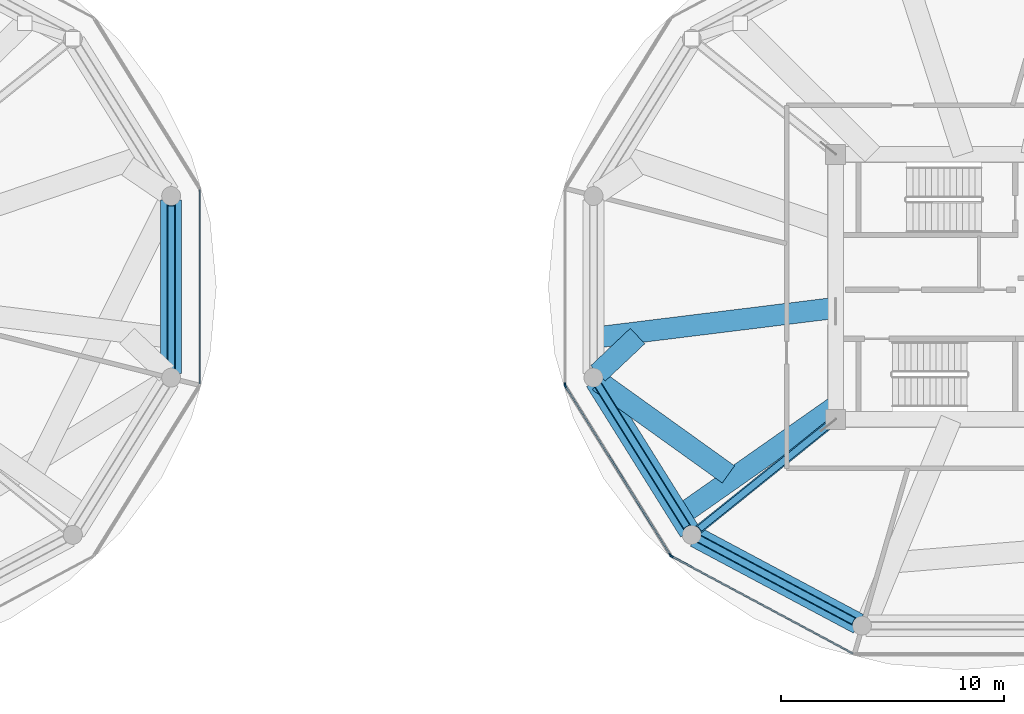
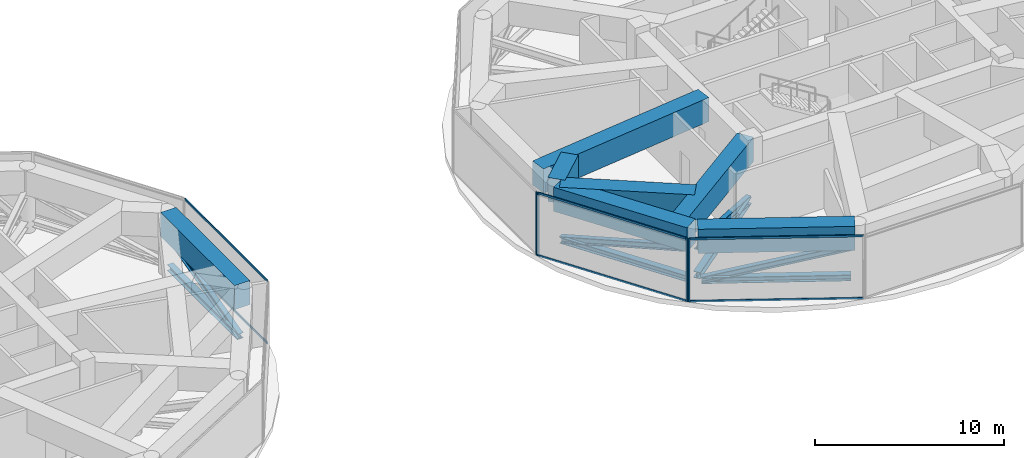
# One storey, part 6 of 23: 18 members, 7 beams, 4 elements without a shape of their own.
"""IFC4 building model written with IfcOpenShell, lengths in metres."""

from ifc_helpers import new_model, si_unit, direction, frame, origin, origin_2d, place, context, subcontext, project, spatial, rectangle, i_section, extrude, source, transform, mapped, material, layer, layer_set, material_profile, profile_set, type_object, type_shapes, element, aggregate, save


model = new_model("IFC4")

# Units and contexts
model_context = context("Model", 3, precision=1e-05, world=origin(), true_north=direction((0.0, 1.0)))
body_context = subcontext(model_context, "Body", "Model", "MODEL_VIEW")
ifc_project = project(units=[si_unit("LENGTHUNIT", "METRE"), si_unit("AREAUNIT", "SQUARE_METRE"), si_unit("VOLUMEUNIT", "CUBIC_METRE"), si_unit("PLANEANGLEUNIT", "RADIAN"), si_unit("MASSUNIT", "GRAM", prefix="KILO")], contexts=[model_context])

# Site, building, storey
site_placement = place(None, origin())
site = spatial("IfcSite", under=ifc_project, at=site_placement, CompositionType="ELEMENT")
building_placement = place(site_placement, origin())
building = spatial("IfcBuilding", under=site, at=building_placement, Name="Norrkilde Senior Care Towers", CompositionType="ELEMENT")
storey_placement = place(building_placement, frame((0.0, 0.0, 129.800048828125)))
storey = spatial("IfcBuildingStorey", under=building, at=storey_placement, Name="L40", CompositionType="ELEMENT", Elevation=129.800048828125)

# Beams
ifc_material_1 = material(Name="Concrete C60/75", Category="concrete")
ifc_material_profile_1 = material_profile(ifc_material_1, rectangle(XDim=0.949951171875, YDim=1.550048828125, at=origin_2d()), Name="RC TG 950x1550")
ifc_profile_set_1 = profile_set([ifc_material_profile_1], Name="Concrete C60/75")
beam_type = type_object("IfcBeamType", Name="Transfer Girder Zone Shift 950x1550", PredefinedType="USERDEFINED", material=ifc_profile_set_1)
shared_shape_1 = source(origin(), body_context, "Body", "SweptSolid", [
    extrude(rectangle(XDim=0.949951171875, YDim=1.550048828125, at=origin_2d()), origin(), (0.0, 0.0, 1.0), 7.966064453125),
])
beam_1_placement = place(storey_placement, frame((9.576416015625, -4.22900390625, 3.304931640625), z_axis=(0.529982411064, -0.848008634368, 0.0), x_axis=(0.848008634368, 0.529982411064, 0.0)))
element("IfcBeam", 1, at=beam_1_placement, inside=storey, type_object=beam_type, Name="L40 Drum E Zone Ring Transfer Girder 07", ObjectType="GIRDER", PredefinedType="USERDEFINED", context=body_context, shape_type="MappedRepresentation", body=[
    mapped(shared_shape_1, transform((0.0, 0.0, 0.0), x_axis=(1.0, 0.0, 0.0), y_axis=(0.0, 1.0, 0.0), z_axis=(0.0, 0.0, 1.0), scale=1.0)),
])
shared_shape_2 = source(origin(), body_context, "Body", "SweptSolid", [
    extrude(rectangle(XDim=0.949951171875, YDim=1.550048828125, at=origin_2d()), origin(), (0.0, 0.0, 1.0), 8.302490234375),
])
beam_2_placement = place(storey_placement, frame((14.052734375, -11.2216796875, 3.304931640625), z_axis=(0.882355383182, -0.470583656504, 0.0), x_axis=(0.470583656504, 0.882355383182, 0.0)))
element("IfcBeam", 2, at=beam_2_placement, inside=storey, type_object=beam_type, Name="L40 Drum E Zone Ring Transfer Girder 08", ObjectType="GIRDER", PredefinedType="USERDEFINED", context=body_context, shape_type="MappedRepresentation", body=[
    mapped(shared_shape_2, transform((0.0, 0.0, 0.0), x_axis=(1.0, 0.0, 0.0), y_axis=(0.0, 1.0, 0.0), z_axis=(0.0, 0.0, 1.0), scale=1.0)),
])
shared_shape_3 = source(origin(), body_context, "Body", "SweptSolid", [
    extrude(rectangle(XDim=0.949951171875, YDim=1.550048828125, at=origin_2d()), origin(), (0.0, 0.0, 1.0), 7.79296875),
])
beam_3_placement = place(storey_placement, frame((-9.48095703125, -3.896484375, 3.304931640625), z_axis=(0.0, 1.0, 0.0), x_axis=(-1.0, 0.0, 0.0)))
element("IfcBeam", 3, at=beam_3_placement, inside=storey, type_object=beam_type, Name="L40 Drum W Zone Ring Transfer Girder 12", ObjectType="GIRDER", PredefinedType="USERDEFINED", context=body_context, shape_type="MappedRepresentation", body=[
    mapped(shared_shape_3, transform((0.0, 0.0, 0.0), x_axis=(1.0, 0.0, 0.0), y_axis=(0.0, 1.0, 0.0), z_axis=(0.0, 0.0, 1.0), scale=1.0)),
])
shared_shape_4 = source(origin(), body_context, "Body", "SweptSolid", [
    extrude(rectangle(XDim=0.949951171875, YDim=1.550048828125, at=origin_2d()), origin(), (0.0, 0.0, 1.0), 8.544677734375),
])
beam_4_placement = place(storey_placement, frame((20.35009765625, -5.3681640625, 3.304931640625), z_axis=(-0.818577669151, -0.574395856154, 0.0), x_axis=(0.574395856154, -0.818577669151, 0.0)))
element("IfcBeam", 4, at=beam_4_placement, inside=storey, type_object=beam_type, Name="L40 Drum E Zone Transfer Girder 08", ObjectType="GIRDER", PredefinedType="USERDEFINED", context=body_context, shape_type="MappedRepresentation", body=[
    mapped(shared_shape_4, transform((0.0, 0.0, 0.0), x_axis=(1.0, 0.0, 0.0), y_axis=(0.0, 1.0, 0.0), z_axis=(0.0, 0.0, 1.0), scale=1.0)),
])
shared_shape_5 = source(origin(), body_context, "Body", "SweptSolid", [
    extrude(rectangle(XDim=0.949951171875, YDim=1.550048828125, at=origin_2d()), origin(), (0.0, 0.0, 1.0), 10.95166015625),
])
beam_5_placement = place(storey_placement, frame((20.35009765625, -0.9443359375, 3.304931640625), z_axis=(-0.992468746892, -0.12249810791, 0.0), x_axis=(0.12249810791, -0.992468746892, 0.0)))
element("IfcBeam", 5, at=beam_5_placement, inside=storey, type_object=beam_type, Name="L40 Drum E Zone Transfer Girder 07", ObjectType="GIRDER", PredefinedType="USERDEFINED", context=body_context, shape_type="MappedRepresentation", body=[
    mapped(shared_shape_5, transform((0.0, 0.0, 0.0), x_axis=(1.0, 0.0, 0.0), y_axis=(0.0, 1.0, 0.0), z_axis=(0.0, 0.0, 1.0), scale=1.0)),
])
shared_shape_6 = source(origin(), body_context, "Body", "SweptSolid", [
    extrude(rectangle(XDim=0.949951171875, YDim=1.550048828125, at=origin_2d()), origin(), (0.0, 0.0, 1.0), 2.4423828125),
])
beam_6_placement = place(storey_placement, frame((11.46142578125, -2.20849609375, 3.304931640625), z_axis=(-0.727495316015, -0.686112647585, 0.0), x_axis=(0.686112647585, -0.727495316015, 0.0)))
element("IfcBeam", 6, at=beam_6_placement, inside=storey, type_object=beam_type, Name="L40 Drum E Zone Star Transfer Tie 07", ObjectType="GIRDER", PredefinedType="USERDEFINED", context=body_context, shape_type="MappedRepresentation", body=[
    mapped(shared_shape_6, transform((0.0, 0.0, 0.0), x_axis=(1.0, 0.0, 0.0), y_axis=(0.0, 1.0, 0.0), z_axis=(0.0, 0.0, 1.0), scale=1.0)),
])

# Members
ifc_material_2 = material(Name="Steel S355", Category="steel")
ifc_material_profile_2 = material_profile(ifc_material_2, i_section(OverallWidth=0.3740234375, OverallDepth=0.386962890625, WebThickness=0.01611328125, FlangeThickness=0.027099609375, FilletRadius=0.014892578125, at=origin_2d()), Name="HD 360x262")
ifc_profile_set_2 = profile_set([ifc_material_profile_2], Name="Steel S355")
member_type_1 = type_object("IfcMemberType", Name="Belt Truss Ring Chord HD360x262", PredefinedType="CHORD", material=ifc_profile_set_2)
shared_shape_7 = source(origin(), body_context, "Body", "SweptSolid", [
    extrude(i_section(OverallWidth=0.3740234375, OverallDepth=0.386962890625, WebThickness=0.01611328125, FlangeThickness=0.027099609375, FilletRadius=0.014892578125, at=origin_2d()), origin(), (0.0, 0.0, 1.0), 7.55615234375),
])
member_1_placement = place(storey_placement, frame((9.68505859375, -4.40283203125, 0.550048828125), z_axis=(0.529981514254, -0.848009194849, 0.0), x_axis=(0.848009194849, 0.529981514254, 0.0)))
element("IfcMember", 7, at=member_1_placement, inside=storey, type_object=member_type_1, Name="L40 Drum E Belt Truss Bottom Chord 07", PredefinedType="CHORD", context=body_context, shape_type="MappedRepresentation", body=[
    mapped(shared_shape_7, transform((0.0, 0.0, 0.0), x_axis=(1.0, 0.0, 0.0), y_axis=(0.0, 1.0, 0.0), z_axis=(0.0, 0.0, 1.0), scale=1.0)),
])
ifc_material_profile_3 = material_profile(ifc_material_2, i_section(OverallWidth=0.300048828125, OverallDepth=0.39990234375, WebThickness=0.013427734375, FlangeThickness=0.02392578125, FilletRadius=0.027099609375, at=origin_2d()), Name="HEB 400")
ifc_profile_set_3 = profile_set([ifc_material_profile_3], Name="Steel S355")
member_type_2 = type_object("IfcMemberType", Name="Belt Truss Diagonal HEB400", PredefinedType="BRACE", material=ifc_profile_set_3)
shared_shape_8 = source(origin(), body_context, "Body", "SweptSolid", [
    extrude(i_section(OverallWidth=0.300048828125, OverallDepth=0.39990234375, WebThickness=0.013427734375, FlangeThickness=0.02392578125, FilletRadius=0.027099609375, at=origin_2d()), origin(), (0.0, 0.0, 1.0), 7.798828125),
])
member_2_placement = place(storey_placement, frame((9.68505859375, -4.40283203125, 0.550048828125), z_axis=(0.513497189063, -0.821633068593, 0.247466639001), x_axis=(0.848009194849, 0.529981514254, 0.0)))
element("IfcMember", 8, at=member_2_placement, inside=storey, type_object=member_type_2, Name="L40 Drum E Belt Truss Diagonal 07", PredefinedType="BRACE", context=body_context, shape_type="MappedRepresentation", body=[
    mapped(shared_shape_8, transform((0.0, 0.0, 0.0), x_axis=(1.0, 0.0, 0.0), y_axis=(0.0, 1.0, 0.0), z_axis=(0.0, 0.0, 1.0), scale=1.0)),
])
shared_shape_9 = source(origin(), body_context, "Body", "SweptSolid", [
    extrude(i_section(OverallWidth=0.3740234375, OverallDepth=0.386962890625, WebThickness=0.01611328125, FlangeThickness=0.027099609375, FilletRadius=0.014892578125, at=origin_2d()), origin(), (0.0, 0.0, 1.0), 7.892333984375),
])
member_3_placement = place(storey_placement, frame((14.233642578125, -11.318115234375, 0.550048828125), z_axis=(0.882350372282, -0.47059305194, 0.0), x_axis=(0.47059305194, 0.882350372282, 0.0)))
element("IfcMember", 9, at=member_3_placement, inside=storey, type_object=member_type_1, Name="L40 Drum E Belt Truss Bottom Chord 08", PredefinedType="CHORD", context=body_context, shape_type="MappedRepresentation", body=[
    mapped(shared_shape_9, transform((0.0, 0.0, 0.0), x_axis=(1.0, 0.0, 0.0), y_axis=(0.0, 1.0, 0.0), z_axis=(0.0, 0.0, 1.0), scale=1.0)),
])
shared_shape_10 = source(origin(), body_context, "Body", "SweptSolid", [
    extrude(i_section(OverallWidth=0.300048828125, OverallDepth=0.39990234375, WebThickness=0.013427734375, FlangeThickness=0.02392578125, FilletRadius=0.027099609375, at=origin_2d()), origin(), (0.0, 0.0, 1.0), 8.125),
])
member_4_placement = place(storey_placement, frame((14.233642578125, -11.318115234375, 0.550048828125), z_axis=(0.85709731652, -0.457124578468, 0.237531702675), x_axis=(0.47059305194, 0.882350372282, 0.0)))
element("IfcMember", 10, at=member_4_placement, inside=storey, type_object=member_type_2, Name="L40 Drum E Belt Truss Diagonal 08", PredefinedType="BRACE", context=body_context, shape_type="MappedRepresentation", body=[
    mapped(shared_shape_10, transform((0.0, 0.0, 0.0), x_axis=(1.0, 0.0, 0.0), y_axis=(0.0, 1.0, 0.0), z_axis=(0.0, 0.0, 1.0), scale=1.0)),
])
shared_shape_11 = source(origin(), body_context, "Body", "SweptSolid", [
    extrude(i_section(OverallWidth=0.3740234375, OverallDepth=0.386962890625, WebThickness=0.01611328125, FlangeThickness=0.027099609375, FilletRadius=0.014892578125, at=origin_2d()), origin(), (0.0, 0.0, 1.0), 7.3828125),
])
type_shapes(member_type_1, [shared_shape_7, shared_shape_9, shared_shape_11])
member_5_placement = place(storey_placement, frame((-9.48095703125, -3.69140625, 0.550048828125), z_axis=(0.0, 1.0, 0.0), x_axis=(-1.0, 0.0, 0.0)))
element("IfcMember", 11, at=member_5_placement, inside=storey, type_object=member_type_1, Name="L40 Drum W Belt Truss Bottom Chord 12", PredefinedType="CHORD", context=body_context, shape_type="MappedRepresentation", body=[
    mapped(shared_shape_11, transform((0.0, 0.0, 0.0), x_axis=(1.0, 0.0, 0.0), y_axis=(0.0, 1.0, 0.0), z_axis=(0.0, 0.0, 1.0), scale=1.0)),
])
shared_shape_12 = source(origin(), body_context, "Body", "SweptSolid", [
    extrude(i_section(OverallWidth=0.300048828125, OverallDepth=0.39990234375, WebThickness=0.013427734375, FlangeThickness=0.02392578125, FilletRadius=0.027099609375, at=origin_2d()), origin(), (0.0, 0.0, 1.0), 7.630859375),
])
type_shapes(member_type_2, [shared_shape_8, shared_shape_10, shared_shape_12])
member_6_placement = place(storey_placement, frame((-9.48095703125, -3.69140625, 0.550048828125), z_axis=(0.0, 0.967489740565, 0.252910264523), x_axis=(-1.0, 0.0, 0.0)))
element("IfcMember", 12, at=member_6_placement, inside=storey, type_object=member_type_2, Name="L40 Drum W Belt Truss Diagonal 12", PredefinedType="BRACE", context=body_context, shape_type="MappedRepresentation", body=[
    mapped(shared_shape_12, transform((0.0, 0.0, 0.0), x_axis=(1.0, 0.0, 0.0), y_axis=(0.0, 1.0, 0.0), z_axis=(0.0, 0.0, 1.0), scale=1.0)),
])
ifc_material_profile_4 = material_profile(ifc_material_2, i_section(OverallWidth=0.402099609375, OverallDepth=0.419921875, WebThickness=0.02001953125, FlangeThickness=0.032958984375, FilletRadius=0.014892578125, at=origin_2d()), Name="HD 400x347")
ifc_profile_set_4 = profile_set([ifc_material_profile_4], Name="Steel S355")
member_type_3 = type_object("IfcMemberType", Name="Outrigger Truss Chord HD400x347", PredefinedType="CHORD", material=ifc_profile_set_4)
shared_shape_13 = source(origin(), body_context, "Body", "SweptSolid", [
    extrude(i_section(OverallWidth=0.402099609375, OverallDepth=0.419921875, WebThickness=0.02001953125, FlangeThickness=0.032958984375, FilletRadius=0.014892578125, at=origin_2d()), origin(), (0.0, 0.0, 1.0), 7.486572265625),
])
type_shapes(member_type_3, [shared_shape_13])
member_7_placement = place(storey_placement, frame((20.0302734375, -6.206787109375, 0.550048828125), z_axis=(-0.779575464722, -0.626308306511, 0.0), x_axis=(0.626308306511, -0.779575464722, 0.0)))
element("IfcMember", 13, at=member_7_placement, inside=storey, type_object=member_type_3, Name="L40 Drum E Outrigger Chord 1", PredefinedType="CHORD", context=body_context, shape_type="MappedRepresentation", body=[
    mapped(shared_shape_13, transform((0.0, 0.0, 0.0), x_axis=(1.0, 0.0, 0.0), y_axis=(0.0, 1.0, 0.0), z_axis=(0.0, 0.0, 1.0), scale=1.0)),
])
ifc_material_profile_5 = material_profile(ifc_material_2, i_section(OverallWidth=0.300048828125, OverallDepth=0.5, WebThickness=0.014404296875, FlangeThickness=0.028076171875, FilletRadius=0.027099609375, at=origin_2d()), Name="HEB 500")
ifc_profile_set_5 = profile_set([ifc_material_profile_5], Name="Steel S355")
member_type_4 = type_object("IfcMemberType", Name="Outrigger Truss Diagonal HEB500", PredefinedType="BRACE", material=ifc_profile_set_5)
shared_shape_14 = source(origin(), body_context, "Body", "SweptSolid", [
    extrude(i_section(OverallWidth=0.300048828125, OverallDepth=0.5, WebThickness=0.014404296875, FlangeThickness=0.028076171875, FilletRadius=0.027099609375, at=origin_2d()), origin(), (0.0, 0.0, 1.0), 7.7314453125),
])
type_shapes(member_type_4, [shared_shape_14])
member_8_placement = place(storey_placement, frame((20.0302734375, -6.206787109375, 0.550048828125), z_axis=(-0.754896761512, -0.60648151935, 0.249621806231), x_axis=(0.626308306511, -0.779575464722, 0.0)))
element("IfcMember", 14, at=member_8_placement, inside=storey, type_object=member_type_4, Name="L40 Drum E Outrigger Diagonal 1", PredefinedType="BRACE", context=body_context, shape_type="MappedRepresentation", body=[
    mapped(shared_shape_14, transform((0.0, 0.0, 0.0), x_axis=(1.0, 0.0, 0.0), y_axis=(0.0, 1.0, 0.0), z_axis=(0.0, 0.0, 1.0), scale=1.0)),
])

# Beam
shared_shape_15 = source(origin(), body_context, "Body", "SweptSolid", [
    extrude(rectangle(XDim=0.949951171875, YDim=1.550048828125, at=origin_2d()), origin(), (0.0, 0.0, 1.0), 7.17529296875),
])
type_shapes(beam_type, [shared_shape_1, shared_shape_2, shared_shape_3, shared_shape_4, shared_shape_5, shared_shape_6, shared_shape_15])
beam_7_placement = place(storey_placement, frame((15.539794921875, -8.420654296875, 3.304931640625), z_axis=(-0.812681512276, 0.58270812557, 0.0), x_axis=(-0.58270812557, -0.812681512276, 0.0)))
element("IfcBeam", 15, at=beam_7_placement, inside=storey, type_object=beam_type, Name="L40 Drum E Zone Star Transfer Tie 08", ObjectType="GIRDER", PredefinedType="USERDEFINED", context=body_context, shape_type="MappedRepresentation", body=[
    mapped(shared_shape_15, transform((0.0, 0.0, 0.0), x_axis=(1.0, 0.0, 0.0), y_axis=(0.0, 1.0, 0.0), z_axis=(0.0, 0.0, 1.0), scale=1.0)),
])

# Curtain wall, member
ifc_material_3 = material(Name="Triple Low-E Insulated Glazing", Category="glass")
ifc_layer = layer(ifc_material_3, 0.18505859375)
ifc_layer_set = layer_set([ifc_layer], Name="Triple Low-E Insulated Glazing")
curtain_wall_type = type_object("IfcCurtainWallType", Name="CW6 Zone 4 Crown Pavilion Curtain Wall", PredefinedType="NOTDEFINED", material=ifc_layer_set)
curtain_wall_1_placement = place(storey_placement, origin())
curtain_wall_1 = element("IfcCurtainWall", 16, at=curtain_wall_1_placement, inside=storey, type_object=curtain_wall_type, Name="L40 Drum E Curtain Wall 05", PredefinedType="NOTDEFINED")
ifc_material_4 = material(Name="Anodised Aluminium", Category="aluminium")
ifc_material_profile_6 = material_profile(ifc_material_4, rectangle(XDim=0.070068359375, YDim=0.169921875, at=origin_2d()), Name="ALU MULL 70x170")
ifc_profile_set_6 = profile_set([ifc_material_profile_6], Name="Anodised Aluminium")
member_type_5 = type_object("IfcMemberType", Name="Curtain Wall Mullion Heavy 70x170", PredefinedType="MULLION", material=ifc_profile_set_6)
shared_shape_16 = source(origin(), body_context, "Body", "SweptSolid", [
    extrude(rectangle(XDim=0.070068359375, YDim=0.169921875, at=origin_2d()), origin(), (0.0, 0.0, 1.0), 4.079833984375),
])
type_shapes(member_type_5, [shared_shape_16])
member_9_placement = place(storey_placement, frame((8.1962890625, -4.3857421875, 0.0), z_axis=(0.0, 0.0, 1.0), x_axis=(-1.0, 0.0, 0.0)))
member_9 = element("IfcMember", 17, at=member_9_placement, type_object=member_type_5, Name="CW-6 mullion 1", PredefinedType="MULLION", context=body_context, shape_type="MappedRepresentation", body=[
    mapped(shared_shape_16, transform((0.0, 0.0, 0.0), x_axis=(1.0, 0.0, 0.0), y_axis=(0.0, 1.0, 0.0), z_axis=(0.0, 0.0, 1.0), scale=1.0)),
])
aggregate(curtain_wall_1, [member_9])

# Curtain wall, members
curtain_wall_2_placement = place(storey_placement, origin())
curtain_wall_2 = element("IfcCurtainWall", 18, at=curtain_wall_2_placement, inside=storey, type_object=curtain_wall_type, Name="L40 Drum E Curtain Wall 06", PredefinedType="NOTDEFINED")
member_10_placement = place(storey_placement, frame((12.934814453125, -12.047607421875, 0.0), z_axis=(0.0, 0.0, 1.0), x_axis=(-0.849410171862, -0.527733228002, 0.0)))
member_10 = element("IfcMember", 19, at=member_10_placement, type_object=member_type_5, Name="CW-6 mullion 1", PredefinedType="MULLION", context=body_context, shape_type="MappedRepresentation", body=[
    mapped(shared_shape_16, transform((0.0, 0.0, 0.0), x_axis=(1.0, 0.0, 0.0), y_axis=(0.0, 1.0, 0.0), z_axis=(0.0, 0.0, 1.0), scale=1.0)),
])
member_11_placement = place(storey_placement, frame((8.21484375, -4.450439453125, 0.0), z_axis=(0.0, 0.0, 1.0), x_axis=(-0.849410171862, -0.527733228002, 0.0)))
member_11 = element("IfcMember", 20, at=member_11_placement, type_object=member_type_5, Name="CW-6 mullion 2", PredefinedType="MULLION", context=body_context, shape_type="MappedRepresentation", body=[
    mapped(shared_shape_16, transform((0.0, 0.0, 0.0), x_axis=(1.0, 0.0, 0.0), y_axis=(0.0, 1.0, 0.0), z_axis=(0.0, 0.0, 1.0), scale=1.0)),
])

# Curtain wall, member
curtain_wall_3_placement = place(storey_placement, origin())
curtain_wall_3 = element("IfcCurtainWall", 21, at=curtain_wall_3_placement, inside=storey, type_object=curtain_wall_type, Name="L40 Drum E Curtain Wall 07", PredefinedType="NOTDEFINED")
member_12_placement = place(storey_placement, frame((12.984130859375, -12.093994140625, 0.0), z_axis=(0.0, 0.0, 1.0), x_axis=(-0.472769402511, -0.881186184668, 0.0)))
member_12 = element("IfcMember", 22, at=member_12_placement, type_object=member_type_5, Name="CW-6 mullion 2", PredefinedType="MULLION", context=body_context, shape_type="MappedRepresentation", body=[
    mapped(shared_shape_16, transform((0.0, 0.0, 0.0), x_axis=(1.0, 0.0, 0.0), y_axis=(0.0, 1.0, 0.0), z_axis=(0.0, 0.0, 1.0), scale=1.0)),
])

# Member
ifc_material_profile_7 = material_profile(ifc_material_4, rectangle(XDim=0.06494140625, YDim=0.1298828125, at=origin_2d()), Name="ALU TRAN 65x130")
ifc_profile_set_7 = profile_set([ifc_material_profile_7], Name="Anodised Aluminium")
member_type_6 = type_object("IfcMemberType", Name="Curtain Wall Transom Heavy 65x130", PredefinedType="USERDEFINED", material=ifc_profile_set_7)
shared_shape_17 = source(origin(), body_context, "Body", "SweptSolid", [
    extrude(rectangle(XDim=0.06494140625, YDim=0.1298828125, at=origin_2d()), origin(), (0.0, 0.0, 1.0), 8.874267578125),
])
member_13_placement = place(storey_placement, frame((12.91650390625, -12.017822265625, 0.032470703125), z_axis=(-0.527744255677, 0.849403320337, 0.0), x_axis=(-0.849403320337, -0.527744255677, 0.0)))
member_13 = element("IfcMember", 23, at=member_13_placement, type_object=member_type_6, Name="CW-6 transom 1.1", ObjectType="TRANSOM", PredefinedType="USERDEFINED", context=body_context, shape_type="MappedRepresentation", body=[
    mapped(shared_shape_17, transform((0.0, 0.0, 0.0), x_axis=(1.0, 0.0, 0.0), y_axis=(0.0, 1.0, 0.0), z_axis=(0.0, 0.0, 1.0), scale=1.0)),
])

member_14_placement = place(storey_placement, frame((12.91650390625, -12.017822265625, 4.04736328125), z_axis=(-0.527744255677, 0.849403320337, 0.0), x_axis=(-0.849403320337, -0.527744255677, 0.0)))
member_14 = element("IfcMember", 24, at=member_14_placement, type_object=member_type_6, Name="CW-6 transom 1.2", ObjectType="TRANSOM", PredefinedType="USERDEFINED", context=body_context, shape_type="MappedRepresentation", body=[
    mapped(shared_shape_17, transform((0.0, 0.0, 0.0), x_axis=(1.0, 0.0, 0.0), y_axis=(0.0, 1.0, 0.0), z_axis=(0.0, 0.0, 1.0), scale=1.0)),
])

aggregate(curtain_wall_2, [member_10, member_11, member_13, member_14])

shared_shape_18 = source(origin(), body_context, "Body", "SweptSolid", [
    extrude(rectangle(XDim=0.06494140625, YDim=0.1298828125, at=origin_2d()), origin(), (0.0, 0.0, 1.0), 9.210205078125),
])
member_15_placement = place(storey_placement, frame((21.131103515625, -16.46484375, 0.032470703125), z_axis=(-0.881190165338, 0.472761982938, 0.0), x_axis=(-0.472761982938, -0.881190165338, 0.0)))
member_15 = element("IfcMember", 25, at=member_15_placement, type_object=member_type_6, Name="CW-6 transom 1.1", ObjectType="TRANSOM", PredefinedType="USERDEFINED", context=body_context, shape_type="MappedRepresentation", body=[
    mapped(shared_shape_18, transform((0.0, 0.0, 0.0), x_axis=(1.0, 0.0, 0.0), y_axis=(0.0, 1.0, 0.0), z_axis=(0.0, 0.0, 1.0), scale=1.0)),
])

member_16_placement = place(storey_placement, frame((21.131103515625, -16.46484375, 4.04736328125), z_axis=(-0.881190165338, 0.472761982938, 0.0), x_axis=(-0.472761982938, -0.881190165338, 0.0)))
member_16 = element("IfcMember", 26, at=member_16_placement, type_object=member_type_6, Name="CW-6 transom 1.2", ObjectType="TRANSOM", PredefinedType="USERDEFINED", context=body_context, shape_type="MappedRepresentation", body=[
    mapped(shared_shape_18, transform((0.0, 0.0, 0.0), x_axis=(1.0, 0.0, 0.0), y_axis=(0.0, 1.0, 0.0), z_axis=(0.0, 0.0, 1.0), scale=1.0)),
])

aggregate(curtain_wall_3, [member_12, member_15, member_16])

# Curtain wall, members
curtain_wall_4_placement = place(storey_placement, origin())
curtain_wall_4 = element("IfcCurtainWall", 27, at=curtain_wall_4_placement, inside=storey, type_object=curtain_wall_type, Name="L40 Drum W Curtain Wall 11", PredefinedType="NOTDEFINED")
shared_shape_19 = source(origin(), body_context, "Body", "SweptSolid", [
    extrude(rectangle(XDim=0.06494140625, YDim=0.1298828125, at=origin_2d()), origin(), (0.0, 0.0, 1.0), 8.701171875),
])
type_shapes(member_type_6, [shared_shape_17, shared_shape_18, shared_shape_19])
member_17_placement = place(storey_placement, frame((-8.1962890625, 4.3505859375, 0.032470703125), z_axis=(0.0, -1.0, 0.0), x_axis=(1.0, 0.0, 0.0)))
member_17 = element("IfcMember", 28, at=member_17_placement, type_object=member_type_6, Name="CW-6 transom 1.1", ObjectType="TRANSOM", PredefinedType="USERDEFINED", context=body_context, shape_type="MappedRepresentation", body=[
    mapped(shared_shape_19, transform((0.0, 0.0, 0.0), x_axis=(1.0, 0.0, 0.0), y_axis=(0.0, 1.0, 0.0), z_axis=(0.0, 0.0, 1.0), scale=1.0)),
])
member_18_placement = place(storey_placement, frame((-8.1962890625, 4.3505859375, 4.04736328125), z_axis=(0.0, -1.0, 0.0), x_axis=(1.0, 0.0, 0.0)))
member_18 = element("IfcMember", 29, at=member_18_placement, type_object=member_type_6, Name="CW-6 transom 1.2", ObjectType="TRANSOM", PredefinedType="USERDEFINED", context=body_context, shape_type="MappedRepresentation", body=[
    mapped(shared_shape_19, transform((0.0, 0.0, 0.0), x_axis=(1.0, 0.0, 0.0), y_axis=(0.0, 1.0, 0.0), z_axis=(0.0, 0.0, 1.0), scale=1.0)),
])
aggregate(curtain_wall_4, [member_17, member_18])

save(model, "model.ifc")
